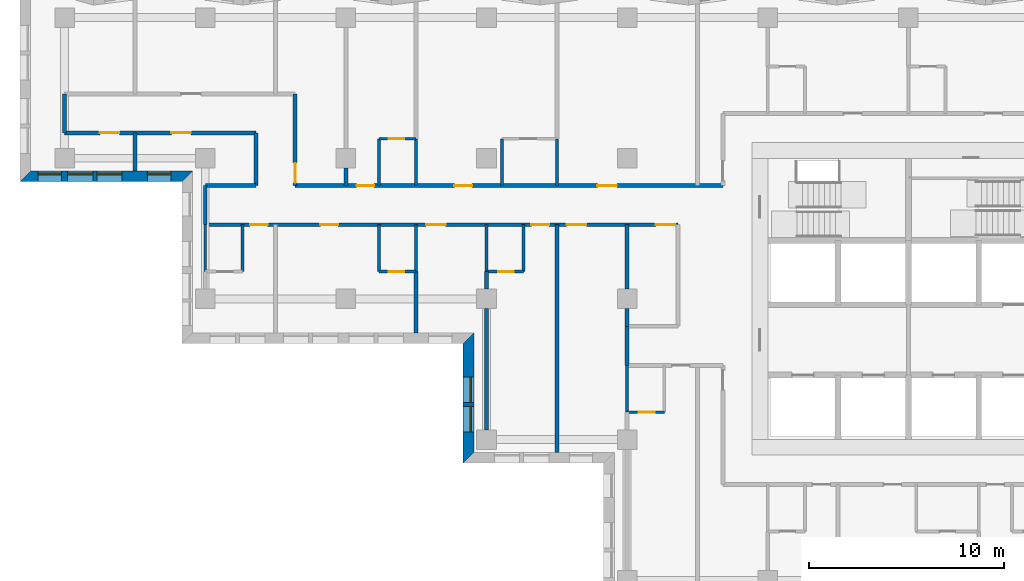
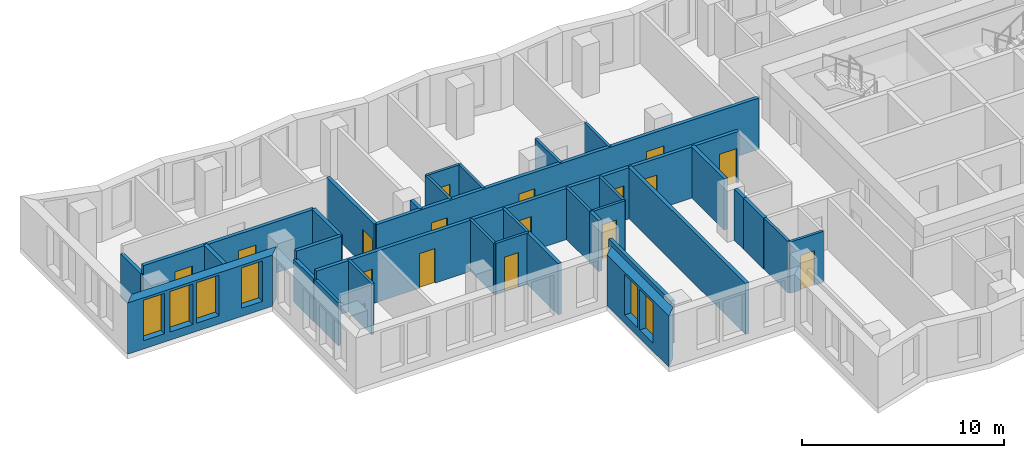
# One storey, part 4 of 13: 34 walls, 16 doors, 6 windows, 22 openings.
"""IFC4 building model written with IfcOpenShell, lengths in metres."""

import ifcopenshell
import ifcopenshell.guid

model = None  # the IFC model being written
_history = None  # IfcOwnerHistory: only IFC2X3 demands one
_inside = {}  # id of a spatial element -> (the spatial element, [elements in it])
_under = {}  # id of a project, library or spatial element -> (it, [spatial elements below it])
_declared = {}  # id of a project -> (the project, [libraries it declares])
_typed = {}  # id of a type object -> (the type object, [elements of that type])
_made_of = {}  # id of a material, layer set ... -> (it, [elements and type objects made of it])


def new_model(schema):
    """Start an empty IFC model of exactly this schema.

    Asked for "IFC4X3", IfcOpenShell would pick the latest addendum, in which some entities
    have other attributes; the version numbers below select the first issue.
    IFC2X3 requires an IfcOwnerHistory on every rooted entity: one is made here for all.
    """
    global model, _history
    if schema == "IFC4X3":
        model = ifcopenshell.file(schema_version=(4, 3, 0, 0))
    else:
        model = ifcopenshell.file(schema=schema)
    _inside.clear()
    _under.clear()
    _declared.clear()
    _typed.clear()
    _made_of.clear()
    _history = None
    if model.schema == "IFC2X3":
        org = make("IfcOrganization", Name="unknown")
        user = make(
            "IfcPersonAndOrganization",
            ThePerson=make("IfcPerson", FamilyName="unknown"),
            TheOrganization=org,
        )
        app = make(
            "IfcApplication",
            ApplicationDeveloper=org,
            Version="unknown",
            ApplicationFullName="unknown",
            ApplicationIdentifier="unknown",
        )
        _history = make(
            "IfcOwnerHistory",
            OwningUser=user,
            OwningApplication=app,
            ChangeAction="ADDED",
            CreationDate=0,
        )
    return model


def make(cls, **values):
    """One entity of the class cls with the attributes given. An attribute that is None is left unset."""
    return model.create_entity(
        cls, **{name: value for name, value in values.items() if value is not None}
    )


def rooted(cls, **values):
    """An entity with a GlobalId (a new one), such as an element, a storey or a relation."""
    return make(cls, GlobalId=ifcopenshell.guid.new(), OwnerHistory=_history, **values)


def si_unit(unit_type, name, prefix=None):
    """IfcSIUnit, for example si_unit("LENGTHUNIT", "METRE", prefix="MILLI")."""
    return make("IfcSIUnit", UnitType=unit_type, Prefix=prefix, Name=name)


def assignment(units):
    """IfcUnitAssignment: the units of a project."""
    return None if units is None else make("IfcUnitAssignment", Units=units)


def point(xyz):
    """IfcCartesianPoint."""
    return None if xyz is None else make("IfcCartesianPoint", Coordinates=xyz)


def direction(xyz):
    """IfcDirection."""
    return None if xyz is None else make("IfcDirection", DirectionRatios=xyz)


def frame(location, z_axis=None, x_axis=None):
    """IfcAxis2Placement3D, a coordinate frame: its origin and axes. An axis left out is left unset."""
    return make(
        "IfcAxis2Placement3D",
        Location=point(location),
        Axis=direction(z_axis),
        RefDirection=direction(x_axis),
    )


def frame_2d(location, x_axis=None):
    """IfcAxis2Placement2D, a coordinate frame in the plane: its origin and x axis."""
    return make(
        "IfcAxis2Placement2D", Location=point(location), RefDirection=direction(x_axis)
    )


def origin():
    """The frame at (0, 0, 0) with its axes left unset."""
    return frame((0.0, 0.0, 0.0))


def place(relative_to, where):
    """IfcLocalPlacement: puts the frame where relative to a parent placement (None: the world)."""
    return make(
        "IfcLocalPlacement", PlacementRelTo=relative_to, RelativePlacement=where
    )


def context(
    kind, dimensions, precision=None, world=None, true_north=None, identifier=None
):
    """IfcGeometricRepresentationContext, for example the 3D "Model" context."""
    return make(
        "IfcGeometricRepresentationContext",
        ContextIdentifier=identifier,
        ContextType=kind,
        CoordinateSpaceDimension=dimensions,
        Precision=precision,
        WorldCoordinateSystem=world,
        TrueNorth=true_north,
    )


def subcontext(parent, identifier, kind, view, scale=None):
    """IfcGeometricRepresentationSubContext, for example "Body" below "Model"."""
    return make(
        "IfcGeometricRepresentationSubContext",
        ContextIdentifier=identifier,
        ContextType=kind,
        ParentContext=parent,
        TargetScale=scale,
        TargetView=view,
    )


def project(units=None, contexts=None):
    """IfcProject with its units and contexts."""
    return rooted(
        "IfcProject",
        Name="project",
        RepresentationContexts=contexts,
        UnitsInContext=assignment(units),
    )


def spatial(cls, under=None, at=None, **own):
    """A site, building, storey or space (cls), placed at a placement, below another one or the project."""
    s = rooted(cls, ObjectPlacement=at, **own)
    if under is not None:
        _under.setdefault(under.id(), (under, []))[1].append(s)
    return s


def polyline(points):
    """IfcPolyline through the points."""
    return make("IfcPolyline", Points=[point(p) for p in points])


def profile(cls, at=None, kind="AREA", **sizes):
    """A parametric profile (cls). Its sizes go by their IFC names, for example OverallWidth=200.0."""
    return make(cls, ProfileType=kind, Position=at, **sizes)


def rectangle(**sizes):
    """IfcRectangleProfileDef."""
    return profile("IfcRectangleProfileDef", **sizes)


def outline(outer, holes=None, kind="AREA"):
    """IfcArbitraryClosedProfileDef: a profile drawn as a closed curve; with holes, ...WithVoids."""
    if holes is None:
        return make("IfcArbitraryClosedProfileDef", ProfileType=kind, OuterCurve=outer)
    return make(
        "IfcArbitraryProfileDefWithVoids",
        ProfileType=kind,
        OuterCurve=outer,
        InnerCurves=holes,
    )


def extrude(swept, where, along, depth):
    """IfcExtrudedAreaSolid: the profile swept, set in the frame where, extruded along a direction by depth."""
    return make(
        "IfcExtrudedAreaSolid",
        SweptArea=swept,
        Position=where,
        ExtrudedDirection=direction(along),
        Depth=depth,
    )


def shape(context_of_items, identifier, shape_type, items):
    """IfcShapeRepresentation: the items that make up one representation, for example the "Body"."""
    return make(
        "IfcShapeRepresentation",
        ContextOfItems=context_of_items,
        RepresentationIdentifier=identifier,
        RepresentationType=shape_type,
        Items=items,
    )


def material(Name=None, Category=None):
    """IfcMaterial."""
    return make("IfcMaterial", Name=Name, Category=Category)


def layer(
    of_material, thickness, ventilated=None, Name=None, Category=None, Priority=None
):
    """IfcMaterialLayer: one layer of a wall or slab, of a material (None: an air gap)."""
    return make(
        "IfcMaterialLayer",
        Material=of_material,
        LayerThickness=thickness,
        IsVentilated=ventilated,
        Name=Name,
        Category=Category,
        Priority=Priority,
    )


def layer_set(layers, Name=None):
    """IfcMaterialLayerSet."""
    return make("IfcMaterialLayerSet", MaterialLayers=layers, LayerSetName=Name)


def made_of(thing, what):
    """Note that an element or type object is made of a material, layer set ...; save() writes the relation."""
    if what is not None:
        _made_of.setdefault(what.id(), (what, []))[1].append(thing)
    return thing


def type_object(cls, material=None, **own):
    """A type object (cls), such as IfcWallType, which elements share."""
    return made_of(rooted(cls, **own), material)


def element(
    cls,
    number,
    at=None,
    inside=None,
    cuts=None,
    type_object=None,
    material=None,
    context=None,
    identifier="Body",
    shape_type=None,
    held_by="IfcProductDefinitionShape",
    body=None,
    shapes=None,
    **own,
):
    """One element of the class cls, such as IfcWall. Its Tag is "e" and its number.

    at: its placement. inside: the storey or other place that contains it. cuts: it is an
    opening in that element (IfcRelVoidsElement). A single representation is given by context,
    identifier, shape_type and body (its items); several are given by shapes. held_by: the class
    of the entity that holds the representations. save() writes the other relations.
    """
    e = rooted(cls, Tag="e%d" % number, ObjectPlacement=at, **own)
    if body is not None:
        shapes = [shape(context, identifier, shape_type, body)]
    if shapes is not None:
        e.Representation = make(held_by, Representations=shapes)
    if inside is not None:
        _inside.setdefault(inside.id(), (inside, []))[1].append(e)
    if cuts is not None:
        rooted(
            "IfcRelVoidsElement", RelatingBuildingElement=cuts, RelatedOpeningElement=e
        )
    if type_object is not None:
        _typed.setdefault(type_object.id(), (type_object, []))[1].append(e)
    return made_of(e, material)


def fill(opening, filler):
    """IfcRelFillsElement: the door or window that sits in an opening."""
    return rooted(
        "IfcRelFillsElement",
        RelatingOpeningElement=opening,
        RelatedBuildingElement=filler,
    )


def aggregate(whole, parts):
    """IfcRelAggregates: a whole, such as a stair, and the parts it consists of."""
    return rooted("IfcRelAggregates", RelatingObject=whole, RelatedObjects=parts)


def save(model, path):
    """Write the relations noted so far, then the file.

    IfcRelAggregates (storeys below a building ...), IfcRelContainedInSpatialStructure (elements
    in a storey), IfcRelDefinesByType, IfcRelAssociatesMaterial and IfcRelDeclares: one each for
    every whole, place, type object, material and project.
    """
    for whole, parts in _under.values():
        aggregate(whole, parts)
    for where, things in _inside.values():
        rooted(
            "IfcRelContainedInSpatialStructure",
            RelatedElements=things,
            RelatingStructure=where,
        )
    for kind, things in _typed.values():
        rooted("IfcRelDefinesByType", RelatedObjects=things, RelatingType=kind)
    for what, things in _made_of.values():
        rooted("IfcRelAssociatesMaterial", RelatedObjects=things, RelatingMaterial=what)
    for by, libraries in _declared.values():
        rooted("IfcRelDeclares", RelatingContext=by, RelatedDefinitions=libraries)
    model.write(path)


model = new_model("IFC4")

# Units and contexts
model_context = context("Model", 3, precision=1e-05, world=origin(), true_north=direction((0.0, 1.0)))
body_context = subcontext(model_context, "Body", "Model", "MODEL_VIEW")
ifc_project = project(units=[si_unit("LENGTHUNIT", "METRE"), si_unit("AREAUNIT", "SQUARE_METRE"), si_unit("VOLUMEUNIT", "CUBIC_METRE"), si_unit("PLANEANGLEUNIT", "RADIAN"), si_unit("MASSUNIT", "GRAM", prefix="KILO")], contexts=[model_context])

# Site, building, storey
site_placement = place(None, origin())
site = spatial("IfcSite", under=ifc_project, at=site_placement, CompositionType="ELEMENT")
building_placement = place(site_placement, origin())
building = spatial("IfcBuilding", under=site, at=building_placement, Name="Windrow Commons", CompositionType="ELEMENT")
storey_placement = place(building_placement, frame((0.0, 0.0, 101.6)))
storey = spatial("IfcBuildingStorey", under=building, at=storey_placement, Name="L27", CompositionType="ELEMENT", Elevation=101.6)

# Wall, openings, windows
ifc_material_1 = material(Name="Brick masonry, red clay brick", Category="masonry")
ifc_layer_1 = layer(ifc_material_1, 0.55)
ifc_layer_set_1 = layer_set([ifc_layer_1], Name="Brick facade wall 550")
wall_type_1 = type_object("IfcWallType", Name="Brick facade wall 550", PredefinedType="SOLIDWALL", material=ifc_layer_set_1)
wall_1_placement = place(storey_placement, frame((19.593, 63.875, 0.0), z_axis=(0.0, 0.0, 1.0), x_axis=(1.0, 0.0, 0.0)))
wall_1 = element("IfcWall", 1, at=wall_1_placement, inside=storey, type_object=wall_type_1, Name="Brick facade wall L27 38", PredefinedType="SOLIDWALL", context=body_context, shape_type="SweptSolid", body=[
    extrude(outline(polyline([(-0.275, -0.275), (8.007, -0.275), (8.557, 0.275), (0.275, 0.275), (-0.275, -0.275)])), origin(), (0.0, 0.0, 1.0), 3.1),
])
opening_1_placement = place(wall_1_placement, frame((2.157, 0.0, 0.5)))
opening_1 = element("IfcOpeningElement", 2, at=opening_1_placement, cuts=wall_1, Name="Opening W1P", PredefinedType="OPENING", context=body_context, shape_type="SweptSolid", body=[
    extrude(rectangle(XDim=1.3, YDim=2.45, at=frame_2d((0.65, 1.225))), frame((0.0, 0.285, 0.0), z_axis=(0.0, -1.0, 0.0), x_axis=(1.0, 0.0, 0.0)), (0.0, 0.0, 1.0), 0.57),
])
opening_2_placement = place(wall_1_placement, frame((3.657, 0.0, 0.5)))
opening_2 = element("IfcOpeningElement", 3, at=opening_2_placement, cuts=wall_1, Name="Opening W1P", PredefinedType="OPENING", context=body_context, shape_type="SweptSolid", body=[
    extrude(rectangle(XDim=1.3, YDim=2.45, at=frame_2d((0.65, 1.225))), frame((0.0, 0.285, 0.0), z_axis=(0.0, -1.0, 0.0), x_axis=(1.0, 0.0, 0.0)), (0.0, 0.0, 1.0), 0.57),
])
opening_3_placement = place(wall_1_placement, frame((0.641, 0.0, 0.5)))
opening_3 = element("IfcOpeningElement", 4, at=opening_3_placement, cuts=wall_1, Name="Opening W7D", PredefinedType="OPENING", context=body_context, shape_type="SweptSolid", body=[
    extrude(rectangle(XDim=1.2, YDim=2.45, at=frame_2d((0.6, 1.225))), frame((0.0, 0.285, 0.0), z_axis=(0.0, -1.0, 0.0), x_axis=(1.0, 0.0, 0.0)), (0.0, 0.0, 1.0), 0.57),
])
opening_4_placement = place(wall_1_placement, frame((6.2445, 0.0, 0.5)))
opening_4 = element("IfcOpeningElement", 5, at=opening_4_placement, cuts=wall_1, Name="Opening W7D", PredefinedType="OPENING", context=body_context, shape_type="SweptSolid", body=[
    extrude(rectangle(XDim=1.2, YDim=2.45, at=frame_2d((0.6, 1.225))), frame((0.0, 0.285, 0.0), z_axis=(0.0, -1.0, 0.0), x_axis=(1.0, 0.0, 0.0)), (0.0, 0.0, 1.0), 0.57),
])
ifc_material_2 = material(Name="Clear float glass in anodised aluminium frame", Category="aluminium")
window_type_1 = type_object("IfcWindowType", Name="Window W1P pair 1300x2450", PartitioningType="SINGLE_PANEL", PredefinedType="WINDOW", material=ifc_material_2)
window_1_placement = place(opening_1_placement, origin())
window_1 = element("IfcWindow", 6, at=window_1_placement, inside=storey, type_object=window_type_1, Name="Window L27 38.1A", OverallHeight=2.45, OverallWidth=1.3, PartitioningType="SINGLE_PANEL", PredefinedType="WINDOW", context=body_context, shape_type="SweptSolid", body=[
    extrude(rectangle(XDim=1.3, YDim=2.45, at=frame_2d((0.65, 1.225))), frame((0.0, 0.155, 0.0), z_axis=(0.0, -1.0, 0.0), x_axis=(1.0, 0.0, 0.0)), (0.0, 0.0, 1.0), 0.06),
])
fill(opening_1, window_1)
window_2_placement = place(opening_2_placement, origin())
window_2 = element("IfcWindow", 7, at=window_2_placement, inside=storey, type_object=window_type_1, Name="Window L27 38.1B", OverallHeight=2.45, OverallWidth=1.3, PartitioningType="SINGLE_PANEL", PredefinedType="WINDOW", context=body_context, shape_type="SweptSolid", body=[
    extrude(rectangle(XDim=1.3, YDim=2.45, at=frame_2d((0.65, 1.225))), frame((0.0, 0.155, 0.0), z_axis=(0.0, -1.0, 0.0), x_axis=(1.0, 0.0, 0.0)), (0.0, 0.0, 1.0), 0.06),
])
fill(opening_2, window_2)
ifc_material_3 = material(Name="Clear float glass in anodised aluminium frame", Category="aluminium")
window_type_2 = type_object("IfcWindowType", Name="Window W7 notch 1200x2450", PartitioningType="SINGLE_PANEL", PredefinedType="WINDOW", material=ifc_material_3)
window_3_placement = place(opening_3_placement, origin())
window_3 = element("IfcWindow", 8, at=window_3_placement, inside=storey, type_object=window_type_2, Name="Window L27 38.2", OverallHeight=2.45, OverallWidth=1.2, PartitioningType="SINGLE_PANEL", PredefinedType="WINDOW", context=body_context, shape_type="SweptSolid", body=[
    extrude(rectangle(XDim=1.2, YDim=2.45, at=frame_2d((0.6, 1.225))), frame((0.0, 0.155, 0.0), z_axis=(0.0, -1.0, 0.0), x_axis=(1.0, 0.0, 0.0)), (0.0, 0.0, 1.0), 0.06),
])
fill(opening_3, window_3)
window_4_placement = place(opening_4_placement, origin())
window_4 = element("IfcWindow", 9, at=window_4_placement, inside=storey, type_object=window_type_2, Name="Window L27 38.3", OverallHeight=2.45, OverallWidth=1.2, PartitioningType="SINGLE_PANEL", PredefinedType="WINDOW", context=body_context, shape_type="SweptSolid", body=[
    extrude(rectangle(XDim=1.2, YDim=2.45, at=frame_2d((0.6, 1.225))), frame((0.0, 0.155, 0.0), z_axis=(0.0, -1.0, 0.0), x_axis=(1.0, 0.0, 0.0)), (0.0, 0.0, 1.0), 0.06),
])
fill(opening_4, window_4)

wall_2_placement = place(storey_placement, frame((42.275, 55.593, 0.0), z_axis=(0.0, 0.0, 1.0), x_axis=(0.0, -1.0, 0.0)))
wall_2 = element("IfcWall", 10, at=wall_2_placement, inside=storey, type_object=wall_type_1, Name="Brick facade wall L27 41", PredefinedType="SOLIDWALL", context=body_context, shape_type="SweptSolid", body=[
    extrude(outline(polyline([(0.275, -0.275), (6.393, -0.275), (5.843, 0.275), (-0.275, 0.275), (0.275, -0.275)])), origin(), (0.0, 0.0, 1.0), 3.1),
])
opening_5_placement = place(wall_2_placement, frame((1.993, 0.0, 0.5)))
opening_5 = element("IfcOpeningElement", 11, at=opening_5_placement, cuts=wall_2, Name="Opening W1P", PredefinedType="OPENING", context=body_context, shape_type="SweptSolid", body=[
    extrude(rectangle(XDim=1.3, YDim=2.45, at=frame_2d((0.65, 1.225))), frame((0.0, 0.285, 0.0), z_axis=(0.0, -1.0, 0.0), x_axis=(1.0, 0.0, 0.0)), (0.0, 0.0, 1.0), 0.57),
])
opening_6_placement = place(wall_2_placement, frame((3.493, 0.0, 0.5)))
opening_6 = element("IfcOpeningElement", 12, at=opening_6_placement, cuts=wall_2, Name="Opening W1P", PredefinedType="OPENING", context=body_context, shape_type="SweptSolid", body=[
    extrude(rectangle(XDim=1.3, YDim=2.45, at=frame_2d((0.65, 1.225))), frame((0.0, 0.285, 0.0), z_axis=(0.0, -1.0, 0.0), x_axis=(1.0, 0.0, 0.0)), (0.0, 0.0, 1.0), 0.57),
])
window_5_placement = place(opening_5_placement, origin())
window_5 = element("IfcWindow", 13, at=window_5_placement, inside=storey, type_object=window_type_1, Name="Window L27 41.1A", OverallHeight=2.45, OverallWidth=1.3, PartitioningType="SINGLE_PANEL", PredefinedType="WINDOW", context=body_context, shape_type="SweptSolid", body=[
    extrude(rectangle(XDim=1.3, YDim=2.45, at=frame_2d((0.65, 1.225))), frame((0.0, 0.155, 0.0), z_axis=(0.0, -1.0, 0.0), x_axis=(1.0, 0.0, 0.0)), (0.0, 0.0, 1.0), 0.06),
])
fill(opening_5, window_5)
window_6_placement = place(opening_6_placement, origin())
window_6 = element("IfcWindow", 14, at=window_6_placement, inside=storey, type_object=window_type_1, Name="Window L27 41.1B", OverallHeight=2.45, OverallWidth=1.3, PartitioningType="SINGLE_PANEL", PredefinedType="WINDOW", context=body_context, shape_type="SweptSolid", body=[
    extrude(rectangle(XDim=1.3, YDim=2.45, at=frame_2d((0.65, 1.225))), frame((0.0, 0.155, 0.0), z_axis=(0.0, -1.0, 0.0), x_axis=(1.0, 0.0, 0.0)), (0.0, 0.0, 1.0), 0.06),
])
fill(opening_6, window_6)

# Wall, openings, doors
ifc_material_4 = material(Name="Blockwork partition", Category="masonry")
ifc_layer_2 = layer(ifc_material_4, 0.2)
ifc_layer_set_2 = layer_set([ifc_layer_2], Name="IW-CORRIDOR-200")
wall_type_2 = type_object("IfcWallType", Name="IW-CORRIDOR-200", PredefinedType="PARTITIONING", material=ifc_layer_set_2)
wall_3_placement = place(storey_placement, frame((28.8, 61.4, 0.0), z_axis=(0.0, 0.0, 1.0), x_axis=(1.0, 0.0, 0.0)))
wall_3 = element("IfcWall", 15, at=wall_3_placement, inside=storey, type_object=wall_type_2, Name="W-L27-W000", PredefinedType="PARTITIONING", context=body_context, shape_type="SweptSolid", body=[
    extrude(rectangle(XDim=24.2, YDim=0.2, at=frame_2d((12.1, 0.0))), origin(), (0.0, 0.0, 1.0), 3.1),
])
opening_7_placement = place(wall_3_placement, frame((2.3, 0.0, 0.0)))
opening_7 = element("IfcOpeningElement", 16, at=opening_7_placement, cuts=wall_3, Name="Opening D109S", PredefinedType="OPENING", context=body_context, shape_type="SweptSolid", body=[
    extrude(rectangle(XDim=0.9, YDim=2.1, at=frame_2d((0.45, 1.05))), frame((0.0, 0.11, 0.0), z_axis=(0.0, -1.0, 0.0), x_axis=(1.0, 0.0, 0.0)), (0.0, 0.0, 1.0), 0.22),
])
opening_8_placement = place(wall_3_placement, frame((5.9006, 0.0, 0.0)))
opening_8 = element("IfcOpeningElement", 17, at=opening_8_placement, cuts=wall_3, Name="Opening D109F", PredefinedType="OPENING", context=body_context, shape_type="SweptSolid", body=[
    extrude(rectangle(XDim=0.9, YDim=2.1, at=frame_2d((0.45, 1.05))), frame((0.0, 0.11, 0.0), z_axis=(0.0, -1.0, 0.0), x_axis=(1.0, 0.0, 0.0)), (0.0, 0.0, 1.0), 0.22),
])
opening_9_placement = place(wall_3_placement, frame((11.3075, 0.0, 0.0)))
opening_9 = element("IfcOpeningElement", 18, at=opening_9_placement, cuts=wall_3, Name="Opening D310F", PredefinedType="OPENING", context=body_context, shape_type="SweptSolid", body=[
    extrude(rectangle(XDim=1.0, YDim=2.1, at=frame_2d((0.5, 1.05))), frame((0.0, 0.11, 0.0), z_axis=(0.0, -1.0, 0.0), x_axis=(1.0, 0.0, 0.0)), (0.0, 0.0, 1.0), 0.22),
])
opening_10_placement = place(wall_3_placement, frame((16.7, 0.0, 0.0)))
opening_10 = element("IfcOpeningElement", 19, at=opening_10_placement, cuts=wall_3, Name="Opening D109S", PredefinedType="OPENING", context=body_context, shape_type="SweptSolid", body=[
    extrude(rectangle(XDim=0.9, YDim=2.1, at=frame_2d((0.45, 1.05))), frame((0.0, 0.11, 0.0), z_axis=(0.0, -1.0, 0.0), x_axis=(1.0, 0.0, 0.0)), (0.0, 0.0, 1.0), 0.22),
])
opening_11_placement = place(wall_3_placement, frame((18.5075, 0.0, 0.0)))
opening_11 = element("IfcOpeningElement", 20, at=opening_11_placement, cuts=wall_3, Name="Opening D310F", PredefinedType="OPENING", context=body_context, shape_type="SweptSolid", body=[
    extrude(rectangle(XDim=1.0, YDim=2.1, at=frame_2d((0.5, 1.05))), frame((0.0, 0.11, 0.0), z_axis=(0.0, -1.0, 0.0), x_axis=(1.0, 0.0, 0.0)), (0.0, 0.0, 1.0), 0.22),
])
opening_12_placement = place(wall_3_placement, frame((23.0741, 0.0, 0.0)))
opening_12 = element("IfcOpeningElement", 21, at=opening_12_placement, cuts=wall_3, Name="Opening D410F", PredefinedType="OPENING", context=body_context, shape_type="SweptSolid", body=[
    extrude(rectangle(XDim=1.0, YDim=2.1, at=frame_2d((0.5, 1.05))), frame((0.0, 0.11, 0.0), z_axis=(0.0, -1.0, 0.0), x_axis=(1.0, 0.0, 0.0)), (0.0, 0.0, 1.0), 0.22),
])
ifc_material_5 = material(Name="Timber door leaf", Category="wood")
door_type_1 = type_object("IfcDoorType", Name="DT-AMENITY-1000", OperationType="SINGLE_SWING_LEFT", PredefinedType="DOOR", material=ifc_material_5)
door_1_placement = place(opening_9_placement, origin())
door_1 = element("IfcDoor", 22, at=door_1_placement, inside=storey, type_object=door_type_1, Name="D-L27-D016", OperationType="SINGLE_SWING_RIGHT", OverallHeight=2.1, OverallWidth=1.0, PredefinedType="DOOR", context=body_context, shape_type="SweptSolid", body=[
    extrude(rectangle(XDim=1.0, YDim=2.1, at=frame_2d((0.5, 1.05))), frame((0.0, 0.025, 0.0), z_axis=(0.0, -1.0, 0.0), x_axis=(1.0, 0.0, 0.0)), (0.0, 0.0, 1.0), 0.05),
])
fill(opening_9, door_1)
door_2_placement = place(opening_11_placement, origin())
door_2 = element("IfcDoor", 23, at=door_2_placement, inside=storey, type_object=door_type_1, Name="D-L27-D019", OperationType="SINGLE_SWING_RIGHT", OverallHeight=2.1, OverallWidth=1.0, PredefinedType="DOOR", context=body_context, shape_type="SweptSolid", body=[
    extrude(rectangle(XDim=1.0, YDim=2.1, at=frame_2d((0.5, 1.05))), frame((0.0, 0.025, 0.0), z_axis=(0.0, -1.0, 0.0), x_axis=(1.0, 0.0, 0.0)), (0.0, 0.0, 1.0), 0.05),
])
fill(opening_11, door_2)
ifc_material_6 = material(Name="Timber door leaf", Category="wood")
door_type_2 = type_object("IfcDoorType", Name="DT-BEDROOM-900", OperationType="SINGLE_SWING_LEFT", PredefinedType="DOOR", material=ifc_material_6)
door_3_placement = place(opening_7_placement, origin())
door_3 = element("IfcDoor", 24, at=door_3_placement, inside=storey, type_object=door_type_2, Name="D-L27-D004", OperationType="SINGLE_SWING_LEFT", OverallHeight=2.1, OverallWidth=0.9, PredefinedType="DOOR", context=body_context, shape_type="SweptSolid", body=[
    extrude(rectangle(XDim=0.9, YDim=2.1, at=frame_2d((0.45, 1.05))), frame((0.0, 0.025, 0.0), z_axis=(0.0, -1.0, 0.0), x_axis=(1.0, 0.0, 0.0)), (0.0, 0.0, 1.0), 0.05),
])
fill(opening_7, door_3)
door_4_placement = place(opening_8_placement, origin())
door_4 = element("IfcDoor", 25, at=door_4_placement, inside=storey, type_object=door_type_2, Name="D-L27-D006", OperationType="SINGLE_SWING_RIGHT", OverallHeight=2.1, OverallWidth=0.9, PredefinedType="DOOR", context=body_context, shape_type="SweptSolid", body=[
    extrude(rectangle(XDim=0.9, YDim=2.1, at=frame_2d((0.45, 1.05))), frame((0.0, 0.025, 0.0), z_axis=(0.0, -1.0, 0.0), x_axis=(1.0, 0.0, 0.0)), (0.0, 0.0, 1.0), 0.05),
])
fill(opening_8, door_4)
door_5_placement = place(opening_10_placement, origin())
door_5 = element("IfcDoor", 26, at=door_5_placement, inside=storey, type_object=door_type_2, Name="D-L27-D017", OperationType="SINGLE_SWING_LEFT", OverallHeight=2.1, OverallWidth=0.9, PredefinedType="DOOR", context=body_context, shape_type="SweptSolid", body=[
    extrude(rectangle(XDim=0.9, YDim=2.1, at=frame_2d((0.45, 1.05))), frame((0.0, 0.025, 0.0), z_axis=(0.0, -1.0, 0.0), x_axis=(1.0, 0.0, 0.0)), (0.0, 0.0, 1.0), 0.05),
])
fill(opening_10, door_5)
ifc_material_7 = material(Name="Timber door leaf", Category="wood")
door_type_3 = type_object("IfcDoorType", Name="DT-SERVICE-1000", OperationType="SINGLE_SWING_LEFT", PredefinedType="DOOR", material=ifc_material_7)
door_6_placement = place(opening_12_placement, origin())
door_6 = element("IfcDoor", 27, at=door_6_placement, inside=storey, type_object=door_type_3, Name="D-L27-D020", OperationType="SINGLE_SWING_LEFT", OverallHeight=2.1, OverallWidth=1.0, PredefinedType="DOOR", context=body_context, shape_type="SweptSolid", body=[
    extrude(rectangle(XDim=1.0, YDim=2.1, at=frame_2d((0.5, 1.05))), frame((0.0, 0.025, 0.0), z_axis=(0.0, -1.0, 0.0), x_axis=(1.0, 0.0, 0.0)), (0.0, 0.0, 1.0), 0.05),
])
fill(opening_12, door_6)

wall_4_placement = place(storey_placement, frame((33.4, 63.4, 0.0), z_axis=(0.0, 0.0, 1.0), x_axis=(1.0, 0.0, 0.0)))
wall_4 = element("IfcWall", 28, at=wall_4_placement, inside=storey, type_object=wall_type_2, Name="W-L27-W001", PredefinedType="PARTITIONING", context=body_context, shape_type="SweptSolid", body=[
    extrude(rectangle(XDim=21.9, YDim=0.2, at=frame_2d((10.95, 0.0))), origin(), (0.0, 0.0, 1.0), 3.1),
])
opening_13_placement = place(wall_4_placement, frame((3.1517, 0.0, 0.0)))
opening_13 = element("IfcOpeningElement", 29, at=opening_13_placement, cuts=wall_4, Name="Opening D109S", PredefinedType="OPENING", context=body_context, shape_type="SweptSolid", body=[
    extrude(rectangle(XDim=0.9, YDim=2.1, at=frame_2d((0.45, 1.05))), frame((0.0, 0.11, 0.0), z_axis=(0.0, -1.0, 0.0), x_axis=(1.0, 0.0, 0.0)), (0.0, 0.0, 1.0), 0.22),
])
opening_14_placement = place(wall_4_placement, frame((8.1607, 0.0, 0.0)))
opening_14 = element("IfcOpeningElement", 30, at=opening_14_placement, cuts=wall_4, Name="Opening D109F", PredefinedType="OPENING", context=body_context, shape_type="SweptSolid", body=[
    extrude(rectangle(XDim=0.9, YDim=2.1, at=frame_2d((0.45, 1.05))), frame((0.0, 0.11, 0.0), z_axis=(0.0, -1.0, 0.0), x_axis=(1.0, 0.0, 0.0)), (0.0, 0.0, 1.0), 0.22),
])
opening_15_placement = place(wall_4_placement, frame((15.4712, 0.0, 0.0)))
opening_15 = element("IfcOpeningElement", 31, at=opening_15_placement, cuts=wall_4, Name="Opening D310F", PredefinedType="OPENING", context=body_context, shape_type="SweptSolid", body=[
    extrude(rectangle(XDim=1.0, YDim=2.1, at=frame_2d((0.5, 1.05))), frame((0.0, 0.11, 0.0), z_axis=(0.0, -1.0, 0.0), x_axis=(1.0, 0.0, 0.0)), (0.0, 0.0, 1.0), 0.22),
])
door_7_placement = place(opening_15_placement, origin())
door_7 = element("IfcDoor", 32, at=door_7_placement, inside=storey, type_object=door_type_1, Name="D-L27-D013", OperationType="SINGLE_SWING_LEFT", OverallHeight=2.1, OverallWidth=1.0, PredefinedType="DOOR", context=body_context, shape_type="SweptSolid", body=[
    extrude(rectangle(XDim=1.0, YDim=2.1, at=frame_2d((0.5, 1.05))), frame((0.0, 0.025, 0.0), z_axis=(0.0, -1.0, 0.0), x_axis=(1.0, 0.0, 0.0)), (0.0, 0.0, 1.0), 0.05),
])
fill(opening_15, door_7)
door_8_placement = place(opening_13_placement, origin())
door_8 = element("IfcDoor", 33, at=door_8_placement, inside=storey, type_object=door_type_2, Name="D-L27-D009", OperationType="SINGLE_SWING_RIGHT", OverallHeight=2.1, OverallWidth=0.9, PredefinedType="DOOR", context=body_context, shape_type="SweptSolid", body=[
    extrude(rectangle(XDim=0.9, YDim=2.1, at=frame_2d((0.45, 1.05))), frame((0.0, 0.025, 0.0), z_axis=(0.0, -1.0, 0.0), x_axis=(1.0, 0.0, 0.0)), (0.0, 0.0, 1.0), 0.05),
])
fill(opening_13, door_8)
door_9_placement = place(opening_14_placement, origin())
door_9 = element("IfcDoor", 34, at=door_9_placement, inside=storey, type_object=door_type_2, Name="D-L27-D011", OperationType="SINGLE_SWING_LEFT", OverallHeight=2.1, OverallWidth=0.9, PredefinedType="DOOR", context=body_context, shape_type="SweptSolid", body=[
    extrude(rectangle(XDim=0.9, YDim=2.1, at=frame_2d((0.45, 1.05))), frame((0.0, 0.025, 0.0), z_axis=(0.0, -1.0, 0.0), x_axis=(1.0, 0.0, 0.0)), (0.0, 0.0, 1.0), 0.05),
])
fill(opening_14, door_9)

wall_5_placement = place(storey_placement, frame((21.602, 66.1, 0.0), z_axis=(0.0, 0.0, 1.0), x_axis=(1.0, 0.0, 0.0)))
wall_5 = element("IfcWall", 35, at=wall_5_placement, inside=storey, type_object=wall_type_2, Name="W-L27-W012", PredefinedType="PARTITIONING", context=body_context, shape_type="SweptSolid", body=[
    extrude(rectangle(XDim=9.796, YDim=0.2, at=frame_2d((4.898, 0.0))), origin(), (0.0, 0.0, 1.0), 3.1),
])
opening_16_placement = place(wall_5_placement, frame((1.8052, 0.0, 0.0)))
opening_16 = element("IfcOpeningElement", 36, at=opening_16_placement, cuts=wall_5, Name="Opening D310F", PredefinedType="OPENING", context=body_context, shape_type="SweptSolid", body=[
    extrude(rectangle(XDim=1.0, YDim=2.1, at=frame_2d((0.5, 1.05))), frame((0.0, 0.11, 0.0), z_axis=(0.0, -1.0, 0.0), x_axis=(1.0, 0.0, 0.0)), (0.0, 0.0, 1.0), 0.22),
])
opening_17_placement = place(wall_5_placement, frame((5.4593, 0.0, 0.0)))
opening_17 = element("IfcOpeningElement", 37, at=opening_17_placement, cuts=wall_5, Name="Opening D310F", PredefinedType="OPENING", context=body_context, shape_type="SweptSolid", body=[
    extrude(rectangle(XDim=1.0, YDim=2.1, at=frame_2d((0.5, 1.05))), frame((0.0, 0.11, 0.0), z_axis=(0.0, -1.0, 0.0), x_axis=(1.0, 0.0, 0.0)), (0.0, 0.0, 1.0), 0.22),
])
door_10_placement = place(opening_16_placement, origin())
door_10 = element("IfcDoor", 38, at=door_10_placement, inside=storey, type_object=door_type_1, Name="D-L27-D001", OperationType="SINGLE_SWING_RIGHT", OverallHeight=2.1, OverallWidth=1.0, PredefinedType="DOOR", context=body_context, shape_type="SweptSolid", body=[
    extrude(rectangle(XDim=1.0, YDim=2.1, at=frame_2d((0.5, 1.05))), frame((0.0, 0.025, 0.0), z_axis=(0.0, -1.0, 0.0), x_axis=(1.0, 0.0, 0.0)), (0.0, 0.0, 1.0), 0.05),
])
fill(opening_16, door_10)
door_11_placement = place(opening_17_placement, origin())
door_11 = element("IfcDoor", 39, at=door_11_placement, inside=storey, type_object=door_type_1, Name="D-L27-D002", OperationType="SINGLE_SWING_RIGHT", OverallHeight=2.1, OverallWidth=1.0, PredefinedType="DOOR", context=body_context, shape_type="SweptSolid", body=[
    extrude(rectangle(XDim=1.0, YDim=2.1, at=frame_2d((0.5, 1.05))), frame((0.0, 0.025, 0.0), z_axis=(0.0, -1.0, 0.0), x_axis=(1.0, 0.0, 0.0)), (0.0, 0.0, 1.0), 0.05),
])
fill(opening_17, door_11)

# Wall, opening, door
wall_6_placement = place(storey_placement, frame((33.4, 63.402, 0.0), z_axis=(0.0, 0.0, 1.0), x_axis=(0.0, 1.0, 0.0)))
wall_6 = element("IfcWall", 40, at=wall_6_placement, inside=storey, type_object=wall_type_2, Name="W-L27-W043", PredefinedType="PARTITIONING", context=body_context, shape_type="SweptSolid", body=[
    extrude(rectangle(XDim=4.698, YDim=0.2, at=frame_2d((2.349, 0.0))), origin(), (0.0, 0.0, 1.0), 3.1),
])
opening_18_placement = place(wall_6_placement, frame((0.1459, 0.0, 0.0)))
opening_18 = element("IfcOpeningElement", 41, at=opening_18_placement, cuts=wall_6, Name="Opening D310F", PredefinedType="OPENING", context=body_context, shape_type="SweptSolid", body=[
    extrude(rectangle(XDim=1.0, YDim=2.1, at=frame_2d((0.5, 1.05))), frame((0.0, 0.11, 0.0), z_axis=(0.0, -1.0, 0.0), x_axis=(1.0, 0.0, 0.0)), (0.0, 0.0, 1.0), 0.22),
])
door_12_placement = place(opening_18_placement, origin())
door_12 = element("IfcDoor", 42, at=door_12_placement, inside=storey, type_object=door_type_1, Name="D-L27-D008", OperationType="SINGLE_SWING_LEFT", OverallHeight=2.1, OverallWidth=1.0, PredefinedType="DOOR", context=body_context, shape_type="SweptSolid", body=[
    extrude(rectangle(XDim=1.0, YDim=2.1, at=frame_2d((0.5, 1.05))), frame((0.0, 0.025, 0.0), z_axis=(0.0, -1.0, 0.0), x_axis=(1.0, 0.0, 0.0)), (0.0, 0.0, 1.0), 0.05),
])
fill(opening_18, door_12)

# Walls
wall_7_placement = place(storey_placement, frame((31.4, 63.402, 0.0), z_axis=(0.0, 0.0, 1.0), x_axis=(0.0, 1.0, 0.0)))
element("IfcWall", 43, at=wall_7_placement, inside=storey, type_object=wall_type_2, Name="W-L27-W061", PredefinedType="PARTITIONING", context=body_context, shape_type="SweptSolid", body=[
    extrude(rectangle(XDim=2.696, YDim=0.2, at=frame_2d((1.348, 0.0))), origin(), (0.0, 0.0, 1.0), 3.1),
])
wall_8_placement = place(storey_placement, frame((28.802, 63.4, 0.0), z_axis=(0.0, 0.0, 1.0), x_axis=(1.0, 0.0, 0.0)))
element("IfcWall", 44, at=wall_8_placement, inside=storey, type_object=wall_type_2, Name="W-L27-W063", PredefinedType="PARTITIONING", context=body_context, shape_type="SweptSolid", body=[
    extrude(rectangle(XDim=2.596, YDim=0.2, at=frame_2d((1.298, 0.0))), origin(), (0.0, 0.0, 1.0), 3.1),
])
wall_9_placement = place(storey_placement, frame((28.8, 61.4, 0.0), z_axis=(0.0, 0.0, 1.0), x_axis=(0.0, 1.0, 0.0)))
element("IfcWall", 45, at=wall_9_placement, inside=storey, type_object=wall_type_2, Name="W-L27-W104", PredefinedType="PARTITIONING", context=body_context, shape_type="SweptSolid", body=[
    extrude(rectangle(XDim=2.0, YDim=0.2, at=frame_2d((1.0, 0.0))), origin(), (0.0, 0.0, 1.0), 2.6),
])
wall_10_placement = place(storey_placement, frame((50.4, 54.2, 0.0), z_axis=(0.0, 0.0, 1.0), x_axis=(0.0, 1.0, 0.0)))
element("IfcWall", 46, at=wall_10_placement, inside=storey, type_object=wall_type_2, Name="W-L27-W105", PredefinedType="PARTITIONING", context=body_context, shape_type="SweptSolid", body=[
    extrude(rectangle(XDim=2.0, YDim=0.2, at=frame_2d((1.0, 0.0))), origin(), (0.0, 0.0, 1.0), 3.1),
])
wall_11_placement = place(storey_placement, frame((21.6, 66.102, 0.0), z_axis=(0.0, 0.0, 1.0), x_axis=(0.0, 1.0, 0.0)))
element("IfcWall", 47, at=wall_11_placement, inside=storey, type_object=wall_type_2, Name="W-L27-W112", PredefinedType="PARTITIONING", context=body_context, shape_type="SweptSolid", body=[
    extrude(rectangle(XDim=1.996, YDim=0.2, at=frame_2d((0.998, 0.0))), origin(), (0.0, 0.0, 1.0), 2.6),
])
ifc_material_8 = material(Name="Blockwork partition", Category="masonry")
ifc_layer_3 = layer(ifc_material_8, 0.15)
ifc_layer_set_3 = layer_set([ifc_layer_3], Name="IW-ENSUITE-150")
wall_type_3 = type_object("IfcWallType", Name="IW-ENSUITE-150", PredefinedType="PARTITIONING", material=ifc_layer_set_3)
for number, where, z_axis, x_axis, name in (
    (48, (50.4, 51.8, 0.0), (0.0, 0.0, 1.0), (0.0, 1.0, 0.0), "W-L27-W071"),
    (49, (30.7, 59.0, 0.0), (0.0, 0.0, 1.0), (0.0, 1.0, 0.0), "W-L27-W076"),
):
    element("IfcWall", number, at=place(storey_placement, frame(where, z_axis=z_axis, x_axis=x_axis)), inside=storey, type_object=wall_type_3, Name=name, PredefinedType="PARTITIONING", context=body_context, shape_type="SweptSolid", body=[
        extrude(rectangle(XDim=2.4, YDim=0.15, at=frame_2d((1.2, 0.0))), origin(), (0.0, 0.0, 1.0), 3.1),
    ])
wall_12_placement = place(storey_placement, frame((28.8, 59.0, 0.0), z_axis=(0.0, 0.0, 1.0), x_axis=(0.0, 1.0, 0.0)))
element("IfcWall", 50, at=wall_12_placement, inside=storey, type_object=wall_type_3, Name="W-L27-W077", PredefinedType="PARTITIONING", context=body_context, shape_type="SweptSolid", body=[
    extrude(rectangle(XDim=2.4, YDim=0.15, at=frame_2d((1.2, 0.0))), origin(), (0.0, 0.0, 1.0), 2.6),
])
for number, where, z_axis, x_axis, name in (
    (51, (37.7, 59.0, 0.0), (0.0, 0.0, 1.0), (0.0, 1.0, 0.0), "W-L27-W078"),
    (52, (37.7, 63.4, 0.0), (0.0, 0.0, 1.0), (0.0, 1.0, 0.0), "W-L27-W079"),
    (53, (39.6, 59.0, 0.0), (0.0, 0.0, 1.0), (0.0, 1.0, 0.0), "W-L27-W080"),
    (54, (39.6, 63.4, 0.0), (0.0, 0.0, 1.0), (0.0, 1.0, 0.0), "W-L27-W081"),
    (55, (45.1, 59.0, 0.0), (0.0, 0.0, 1.0), (0.0, 1.0, 0.0), "W-L27-W082"),
    (56, (43.2, 59.0, 0.0), (0.0, 0.0, 1.0), (0.0, 1.0, 0.0), "W-L27-W083"),
    (57, (44.0, 63.4, 0.0), (0.0, 0.0, 1.0), (0.0, 1.0, 0.0), "W-L27-W084"),
    (58, (46.8, 63.4, 0.0), (0.0, 0.0, 1.0), (0.0, 1.0, 0.0), "W-L27-W085"),
):
    element("IfcWall", number, at=place(storey_placement, frame(where, z_axis=z_axis, x_axis=x_axis)), inside=storey, type_object=wall_type_3, Name=name, PredefinedType="PARTITIONING", context=body_context, shape_type="SweptSolid", body=[
        extrude(rectangle(XDim=2.4, YDim=0.15, at=frame_2d((1.2, 0.0))), origin(), (0.0, 0.0, 1.0), 3.1),
    ])

# Wall, opening, door
wall_13_placement = place(storey_placement, frame((37.7, 59.0, 0.0), z_axis=(0.0, 0.0, 1.0), x_axis=(1.0, 0.0, 0.0)))
wall_13 = element("IfcWall", 59, at=wall_13_placement, inside=storey, type_object=wall_type_3, Name="W-L27-W122", PredefinedType="PARTITIONING", context=body_context, shape_type="SweptSolid", body=[
    extrude(rectangle(XDim=1.9, YDim=0.15, at=frame_2d((0.95, 0.0))), origin(), (0.0, 0.0, 1.0), 3.1),
])
opening_19_placement = place(wall_13_placement, frame((0.4931, 0.0, 0.0)))
opening_19 = element("IfcOpeningElement", 60, at=opening_19_placement, cuts=wall_13, Name="Opening D208N", PredefinedType="OPENING", context=body_context, shape_type="SweptSolid", body=[
    extrude(rectangle(XDim=0.8, YDim=2.1, at=frame_2d((0.4, 1.05))), frame((0.0, 0.085, 0.0), z_axis=(0.0, -1.0, 0.0), x_axis=(1.0, 0.0, 0.0)), (0.0, 0.0, 1.0), 0.17),
])
ifc_material_9 = material(Name="Timber door leaf", Category="wood")
door_type_4 = type_object("IfcDoorType", Name="DT-ENSUITE-800", OperationType="SINGLE_SWING_LEFT", PredefinedType="DOOR", material=ifc_material_9)
door_13_placement = place(opening_19_placement, origin())
door_13 = element("IfcDoor", 61, at=door_13_placement, inside=storey, type_object=door_type_4, Name="D-L27-D007", OperationType="SINGLE_SWING_RIGHT", OverallHeight=2.1, OverallWidth=0.8, PredefinedType="DOOR", context=body_context, shape_type="SweptSolid", body=[
    extrude(rectangle(XDim=0.8, YDim=2.1, at=frame_2d((0.4, 1.05))), frame((0.0, 0.025, 0.0), z_axis=(0.0, -1.0, 0.0), x_axis=(1.0, 0.0, 0.0)), (0.0, 0.0, 1.0), 0.05),
])
fill(opening_19, door_13)

wall_14_placement = place(storey_placement, frame((43.2, 59.0, 0.0), z_axis=(0.0, 0.0, 1.0), x_axis=(1.0, 0.0, 0.0)))
wall_14 = element("IfcWall", 62, at=wall_14_placement, inside=storey, type_object=wall_type_3, Name="W-L27-W123", PredefinedType="PARTITIONING", context=body_context, shape_type="SweptSolid", body=[
    extrude(rectangle(XDim=1.9, YDim=0.15, at=frame_2d((0.95, 0.0))), origin(), (0.0, 0.0, 1.0), 3.1),
])
opening_20_placement = place(wall_14_placement, frame((0.6069, 0.0, 0.0)))
opening_20 = element("IfcOpeningElement", 63, at=opening_20_placement, cuts=wall_14, Name="Opening D208N", PredefinedType="OPENING", context=body_context, shape_type="SweptSolid", body=[
    extrude(rectangle(XDim=0.8, YDim=2.1, at=frame_2d((0.4, 1.05))), frame((0.0, 0.085, 0.0), z_axis=(0.0, -1.0, 0.0), x_axis=(1.0, 0.0, 0.0)), (0.0, 0.0, 1.0), 0.17),
])
door_14_placement = place(opening_20_placement, origin())
door_14 = element("IfcDoor", 64, at=door_14_placement, inside=storey, type_object=door_type_4, Name="D-L27-D018", OperationType="SINGLE_SWING_RIGHT", OverallHeight=2.1, OverallWidth=0.8, PredefinedType="DOOR", context=body_context, shape_type="SweptSolid", body=[
    extrude(rectangle(XDim=0.8, YDim=2.1, at=frame_2d((0.4, 1.05))), frame((0.0, 0.025, 0.0), z_axis=(0.0, -1.0, 0.0), x_axis=(1.0, 0.0, 0.0)), (0.0, 0.0, 1.0), 0.05),
])
fill(opening_20, door_14)

wall_15_placement = place(storey_placement, frame((37.7, 65.8, 0.0), z_axis=(0.0, 0.0, 1.0), x_axis=(1.0, 0.0, 0.0)))
wall_15 = element("IfcWall", 65, at=wall_15_placement, inside=storey, type_object=wall_type_3, Name="W-L27-W124", PredefinedType="PARTITIONING", context=body_context, shape_type="SweptSolid", body=[
    extrude(rectangle(XDim=1.9, YDim=0.15, at=frame_2d((0.95, 0.0))), origin(), (0.0, 0.0, 1.0), 3.1),
])
opening_21_placement = place(wall_15_placement, frame((0.4931, 0.0, 0.0)))
opening_21 = element("IfcOpeningElement", 66, at=opening_21_placement, cuts=wall_15, Name="Opening D208N", PredefinedType="OPENING", context=body_context, shape_type="SweptSolid", body=[
    extrude(rectangle(XDim=0.8, YDim=2.1, at=frame_2d((0.4, 1.05))), frame((0.0, 0.085, 0.0), z_axis=(0.0, -1.0, 0.0), x_axis=(1.0, 0.0, 0.0)), (0.0, 0.0, 1.0), 0.17),
])
door_15_placement = place(opening_21_placement, origin())
door_15 = element("IfcDoor", 67, at=door_15_placement, inside=storey, type_object=door_type_4, Name="D-L27-D010", OperationType="SINGLE_SWING_RIGHT", OverallHeight=2.1, OverallWidth=0.8, PredefinedType="DOOR", context=body_context, shape_type="SweptSolid", body=[
    extrude(rectangle(XDim=0.8, YDim=2.1, at=frame_2d((0.4, 1.05))), frame((0.0, 0.025, 0.0), z_axis=(0.0, -1.0, 0.0), x_axis=(1.0, 0.0, 0.0)), (0.0, 0.0, 1.0), 0.05),
])
fill(opening_21, door_15)

wall_16_placement = place(storey_placement, frame((50.4, 51.8, 0.0), z_axis=(0.0, 0.0, 1.0), x_axis=(1.0, 0.0, 0.0)))
wall_16 = element("IfcWall", 68, at=wall_16_placement, inside=storey, type_object=wall_type_3, Name="W-L27-W125", PredefinedType="PARTITIONING", context=body_context, shape_type="SweptSolid", body=[
    extrude(rectangle(XDim=1.9, YDim=0.15, at=frame_2d((0.95, 0.0))), origin(), (0.0, 0.0, 1.0), 3.1),
])
opening_22_placement = place(wall_16_placement, frame((0.6069, 0.0, 0.0)))
opening_22 = element("IfcOpeningElement", 69, at=opening_22_placement, cuts=wall_16, Name="Opening D208N", PredefinedType="OPENING", context=body_context, shape_type="SweptSolid", body=[
    extrude(rectangle(XDim=0.8, YDim=2.1, at=frame_2d((0.4, 1.05))), frame((0.0, 0.085, 0.0), z_axis=(0.0, -1.0, 0.0), x_axis=(1.0, 0.0, 0.0)), (0.0, 0.0, 1.0), 0.17),
])
door_16_placement = place(opening_22_placement, origin())
door_16 = element("IfcDoor", 70, at=door_16_placement, inside=storey, type_object=door_type_4, Name="D-L27-D022", OperationType="SINGLE_SWING_RIGHT", OverallHeight=2.1, OverallWidth=0.8, PredefinedType="DOOR", context=body_context, shape_type="SweptSolid", body=[
    extrude(rectangle(XDim=0.8, YDim=2.1, at=frame_2d((0.4, 1.05))), frame((0.0, 0.025, 0.0), z_axis=(0.0, -1.0, 0.0), x_axis=(1.0, 0.0, 0.0)), (0.0, 0.0, 1.0), 0.05),
])
fill(opening_22, door_16)

# Walls
ifc_material_10 = material(Name="Blockwork partition", Category="masonry")
ifc_layer_4 = layer(ifc_material_10, 0.2)
ifc_layer_set_4 = layer_set([ifc_layer_4], Name="IW-PARTY-200")
wall_type_4 = type_object("IfcWallType", Name="IW-PARTY-200", PredefinedType="PARTITIONING", material=ifc_layer_set_4)
wall_17_placement = place(storey_placement, frame((46.8, 49.75, 0.0), z_axis=(0.0, 0.0, 1.0), x_axis=(0.0, 1.0, 0.0)))
element("IfcWall", 71, at=wall_17_placement, inside=storey, type_object=wall_type_4, Name="W-L27-W010", PredefinedType="PARTITIONING", context=body_context, shape_type="SweptSolid", body=[
    extrude(rectangle(XDim=11.65, YDim=0.2, at=frame_2d((5.825, 0.0))), origin(), (0.0, 0.0, 1.0), 3.1),
])
wall_18_placement = place(storey_placement, frame((43.2, 50.9, 0.0), z_axis=(0.0, 0.0, 1.0), x_axis=(0.0, 1.0, 0.0)))
element("IfcWall", 72, at=wall_18_placement, inside=storey, type_object=wall_type_4, Name="W-L27-W025", PredefinedType="PARTITIONING", context=body_context, shape_type="SweptSolid", body=[
    extrude(rectangle(XDim=6.2, YDim=0.2, at=frame_2d((3.1, 0.0))), origin(), (0.0, 0.0, 1.0), 2.6),
])
wall_19_placement = place(storey_placement, frame((50.4, 58.1, 0.0), z_axis=(0.0, 0.0, 1.0), x_axis=(0.0, 1.0, 0.0)))
element("IfcWall", 73, at=wall_19_placement, inside=storey, type_object=wall_type_4, Name="W-L27-W055", PredefinedType="PARTITIONING", context=body_context, shape_type="SweptSolid", body=[
    extrude(rectangle(XDim=3.3, YDim=0.2, at=frame_2d((1.65, 0.0))), origin(), (0.0, 0.0, 1.0), 3.1),
])
wall_20_placement = place(storey_placement, frame((39.6, 55.868, 0.0), z_axis=(0.0, 0.0, 1.0), x_axis=(0.0, 1.0, 0.0)))
element("IfcWall", 74, at=wall_20_placement, inside=storey, type_object=wall_type_4, Name="W-L27-W059", PredefinedType="PARTITIONING", context=body_context, shape_type="SweptSolid", body=[
    extrude(rectangle(XDim=3.132, YDim=0.2, at=frame_2d((1.566, 0.0))), origin(), (0.0, 0.0, 1.0), 3.1),
])
wall_21_placement = place(storey_placement, frame((25.2, 64.15, 0.0), z_axis=(0.0, 0.0, 1.0), x_axis=(0.0, 1.0, 0.0)))
element("IfcWall", 75, at=wall_21_placement, inside=storey, type_object=wall_type_4, Name="W-L27-W128", PredefinedType="PARTITIONING", context=body_context, shape_type="SweptSolid", body=[
    extrude(rectangle(XDim=1.95, YDim=0.2, at=frame_2d((0.975, 0.0))), origin(), (0.0, 0.0, 1.0), 3.1),
])
for number, where, z_axis, x_axis, name in (
    (76, (36.0, 63.4, 0.0), (0.0, 0.0, 1.0), (0.0, 1.0, 0.0), "W-L27-W139"),
    (77, (43.2, 58.1, 0.0), (0.0, 0.0, 1.0), (0.0, 1.0, 0.0), "W-L27-W140"),
    (78, (50.4, 56.2, 0.0), (0.0, 0.0, 1.0), (0.0, 1.0, 0.0), "W-L27-W142"),
):
    element("IfcWall", number, at=place(storey_placement, frame(where, z_axis=z_axis, x_axis=x_axis)), inside=storey, type_object=wall_type_4, Name=name, PredefinedType="PARTITIONING", context=body_context, shape_type="SweptSolid", body=[
        extrude(rectangle(XDim=0.9, YDim=0.2, at=frame_2d((0.45, 0.0))), origin(), (0.0, 0.0, 1.0), 3.1),
    ])

save(model, "model.ifc")
